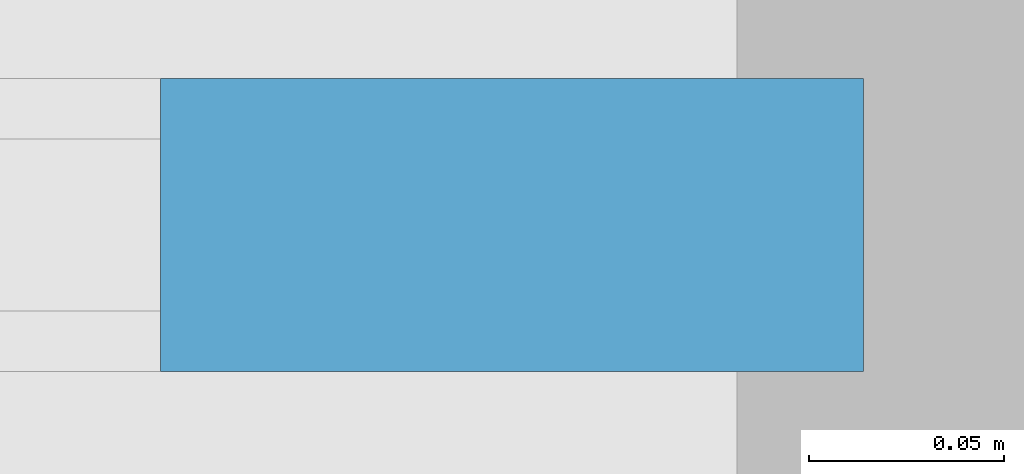
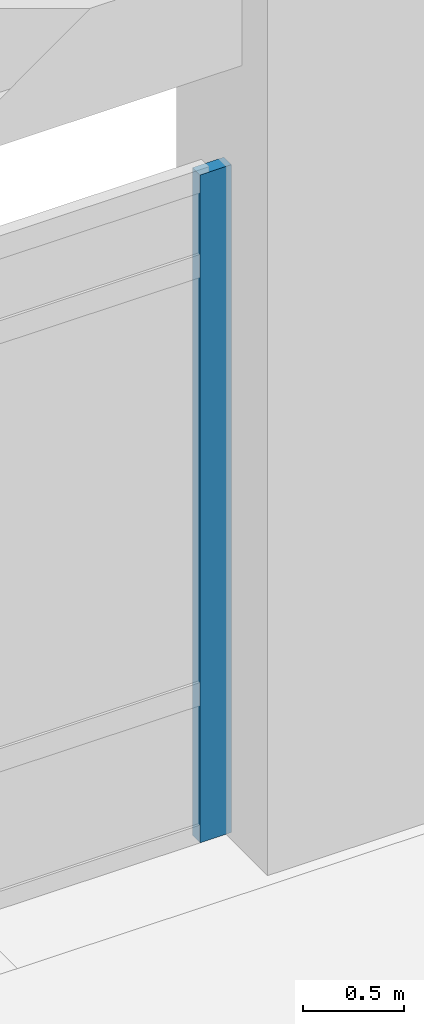
# One storey, part 40 of 102: 1 member, 1 element without a shape of its own.
"""IFC4 building model written with IfcOpenShell, lengths in metres."""

from ifc_helpers import new_model, si_unit, direction, frame, origin, origin_2d, place, context, subcontext, project, spatial, rectangle, extrude, material, layer, layer_set, material_profile, profile_set, type_object, element, aggregate, save


model = new_model("IFC4")

# Units and contexts
model_context = context("Model", 3, precision=1e-05, world=origin(), true_north=direction((0.0, 1.0)))
body_context = subcontext(model_context, "Body", "Model", "MODEL_VIEW")
ifc_project = project(units=[si_unit("LENGTHUNIT", "METRE"), si_unit("AREAUNIT", "SQUARE_METRE"), si_unit("VOLUMEUNIT", "CUBIC_METRE"), si_unit("PLANEANGLEUNIT", "RADIAN"), si_unit("MASSUNIT", "GRAM", prefix="KILO")], contexts=[model_context])

# Site, building, storey
site_placement = place(None, origin())
site = spatial("IfcSite", under=ifc_project, at=site_placement, CompositionType="ELEMENT")
building_placement = place(site_placement, origin())
building = spatial("IfcBuilding", under=site, at=building_placement, Name="Kolvemor Railside Polytechnic", CompositionType="ELEMENT")
storey_placement = place(building_placement, origin())
storey = spatial("IfcBuildingStorey", under=building, at=storey_placement, Name="L00", CompositionType="ELEMENT", Elevation=0.0)

# Curtain wall, member
ifc_material_1 = material(Name="Anodised marine aluminium and laminated low-E glass", Category="aluminium")
ifc_layer = layer(ifc_material_1, 0.179931640625, Name="CW-UNIT-WKS")
ifc_layer_set = layer_set([ifc_layer], Name="Anodised marine aluminium and laminated low-E glass")
curtain_wall_type = type_object("IfcCurtainWallType", Name="CW-UNIT-WKS", PredefinedType="USERDEFINED", material=ifc_layer_set)
curtain_wall_placement = place(storey_placement, origin())
curtain_wall = element("IfcCurtainWall", 1, at=curtain_wall_placement, inside=storey, type_object=curtain_wall_type, Name="Curtain Wall L00-022", ObjectType="UNITISED CURTAIN WALL", PredefinedType="USERDEFINED")
ifc_material_2 = material(Name="Anodised marine aluminium 6063-T6", Category="aluminium")
ifc_material_profile = material_profile(ifc_material_2, rectangle(XDim=0.074951171875, YDim=0.179931640625, at=origin_2d()), Name="CW-MUL-75x180")
ifc_profile_set = profile_set([ifc_material_profile], Name="Anodised marine aluminium 6063-T6")
member_type = type_object("IfcMemberType", Name="CWM-75x180", PredefinedType="MULLION", material=ifc_profile_set)
member_placement = place(storey_placement, frame((124.29248046875, 120.0, 0.0), z_axis=(0.0, 0.0, 1.0), x_axis=(0.0, -1.0, 0.0)))
member = element("IfcMember", 2, at=member_placement, type_object=member_type, Name="CW-WKS mullion 1", PredefinedType="MULLION", context=body_context, shape_type="SweptSolid", body=[
    extrude(rectangle(XDim=0.074951171875, YDim=0.179931640625, at=origin_2d()), origin(), (0.0, 0.0, 1.0), 4.0400390625),
])
aggregate(curtain_wall, [member])

save(model, "model.ifc")
